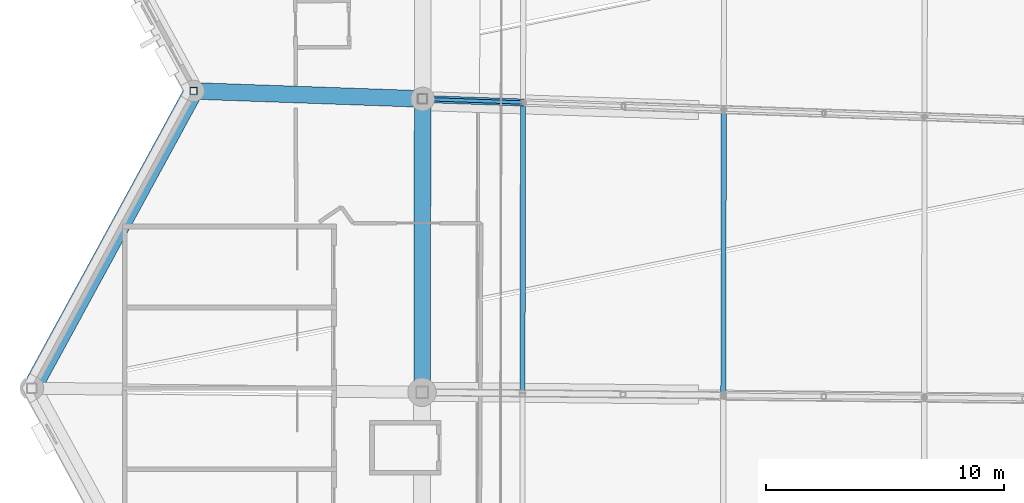
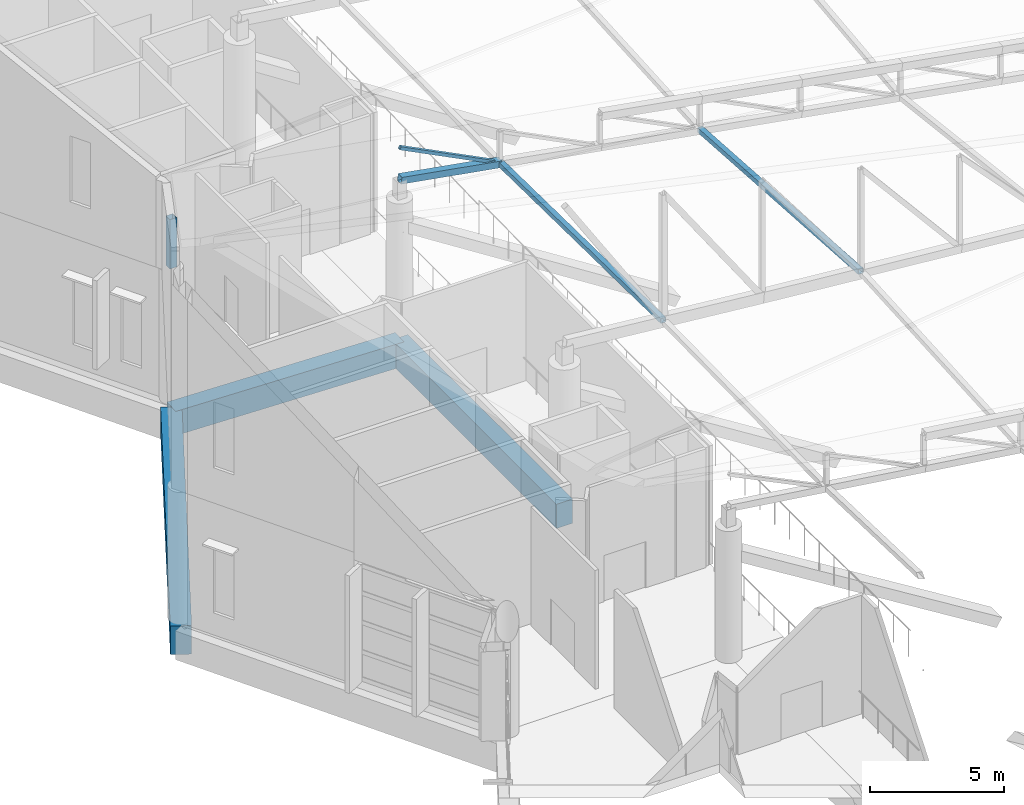
# One storey, part 61 of 344: 5 members, 3 beams.
"""IFC4 building model written with IfcOpenShell, lengths in metres."""

from ifc_helpers import new_model, si_unit, direction, frame, origin, origin_2d, place, context, subcontext, project, spatial, rectangle, hollow_rectangle, extrude, material, material_profile, profile_set, type_object, element, save


model = new_model("IFC4")

# Units and contexts
model_context = context("Model", 3, precision=1e-05, world=origin(), true_north=direction((0.0, 1.0)))
body_context = subcontext(model_context, "Body", "Model", "MODEL_VIEW")
ifc_project = project(units=[si_unit("LENGTHUNIT", "METRE"), si_unit("AREAUNIT", "SQUARE_METRE"), si_unit("VOLUMEUNIT", "CUBIC_METRE"), si_unit("PLANEANGLEUNIT", "RADIAN"), si_unit("MASSUNIT", "GRAM", prefix="KILO")], contexts=[model_context])

# Site, building, storey
site_placement = place(None, origin())
site = spatial("IfcSite", under=ifc_project, at=site_placement, CompositionType="ELEMENT")
building_placement = place(site_placement, origin())
building = spatial("IfcBuilding", under=site, at=building_placement, Name="Meseta Stadium", CompositionType="ELEMENT")
storey_placement = place(building_placement, frame((0.0, 0.0, 24.0)))
storey = spatial("IfcBuildingStorey", under=building, at=storey_placement, Name="L04", CompositionType="ELEMENT", Elevation=24.0)

# Beams
ifc_material_1 = material(Name="Concrete C40/50", Category="concrete")
ifc_material_profile_1 = material_profile(ifc_material_1, rectangle(XDim=0.699951171875, YDim=1.10009765625, at=origin_2d()), Name="RC 700x1100")
ifc_profile_set_1 = profile_set([ifc_material_profile_1], Name="Concrete C40/50")
beam_type_1 = type_object("IfcBeamType", Name="RC beam 700x1100", PredefinedType="BEAM", material=ifc_profile_set_1)
beam_1_placement = place(storey_placement, frame((-84.97314453125, 18.41064453125, -0.949951171875), z_axis=(-0.001980154927, -0.999998039491, 0.0), x_axis=(0.999998039491, -0.001980154927, 0.0)))
element("IfcBeam", 1, at=beam_1_placement, inside=storey, type_object=beam_type_1, Name="L04 ring beam frame 31 line P", PredefinedType="BEAM", context=body_context, shape_type="SweptSolid", body=[
    extrude(rectangle(XDim=0.699951171875, YDim=1.10009765625, at=origin_2d()), origin(), (0.0, 0.0, 1.0), 12.329345703125),
])
beam_2_placement = place(storey_placement, frame((-84.97314453125, 18.41064453125, -0.949951171875), z_axis=(-0.999379277506, 0.035228677108, 0.0), x_axis=(-0.035228677108, -0.999379277506, 0.0)))
element("IfcBeam", 2, at=beam_2_placement, inside=storey, type_object=beam_type_1, Name="L04 radial beam frame 31 line P to R", PredefinedType="BEAM", context=body_context, shape_type="SweptSolid", body=[
    extrude(rectangle(XDim=0.699951171875, YDim=1.10009765625, at=origin_2d()), origin(), (0.0, 0.0, 1.0), 9.6328125),
])
ifc_material_2 = material(Name="Concrete C40/50", Category="concrete")
ifc_material_profile_2 = material_profile(ifc_material_2, rectangle(XDim=0.800048828125, YDim=1.300048828125, at=origin_2d()), Name="RC 800x1300")
ifc_profile_set_2 = profile_set([ifc_material_profile_2], Name="Concrete C40/50")
beam_type_2 = type_object("IfcBeamType", Name="RC beam 800x1300", PredefinedType="BEAM", material=ifc_profile_set_2)
beam_3_placement = place(storey_placement, frame((-94.60009765625, 18.75, -1.050048828125), z_axis=(-0.47785649891, -0.878437912689, 0.0), x_axis=(0.878437912689, -0.47785649891, 0.0)))
element("IfcBeam", 3, at=beam_3_placement, inside=storey, type_object=beam_type_2, Name="L04 ring beam frame 31 line R", PredefinedType="BEAM", context=body_context, shape_type="SweptSolid", body=[
    extrude(rectangle(XDim=0.800048828125, YDim=1.300048828125, at=origin_2d()), origin(), (0.0, 0.0, 1.0), 14.229736328125),
])

# Members
ifc_material_3 = material(Name="Steel S355", Category="steel")
ifc_material_profile_3 = material_profile(ifc_material_3, hollow_rectangle(XDim=0.139892578125, YDim=0.139892578125, WallThickness=0.0048828125, at=origin_2d()), Name="SHS 140x140x5")
ifc_profile_set_3 = profile_set([ifc_material_profile_3], Name="Steel S355")
member_type_1 = type_object("IfcMemberType", Name="SHS 140x140x5 diagonal", PredefinedType="BRACE", material=ifc_profile_set_3)
member_1_placement = place(storey_placement, frame((-80.75341796875, 18.261962890625, 6.1669921875), z_axis=(-0.898097491679, 0.031644374707, 0.438656504556), x_axis=(-0.035213047643, -0.999379828331, 0.0)))
element("IfcMember", 4, at=member_1_placement, inside=storey, type_object=member_type_1, Name="ROOF TRUSS RT-31 diagonal", PredefinedType="BRACE", context=body_context, shape_type="SweptSolid", body=[
    extrude(hollow_rectangle(XDim=0.139892578125, YDim=0.139892578125, WallThickness=0.0048828125, at=origin_2d()), origin(), (0.0, 0.0, 1.0), 4.698486328125),
])
ifc_material_4 = material(Name="Steel S355", Category="steel")
ifc_material_profile_4 = material_profile(ifc_material_4, hollow_rectangle(XDim=0.219970703125, YDim=0.219970703125, WallThickness=0.008056640625, at=origin_2d()), Name="SHS 220x220x8")
ifc_profile_set_4 = profile_set([ifc_material_profile_4], Name="Steel S355")
member_type_2 = type_object("IfcMemberType", Name="SHS 220x220x8 strut", PredefinedType="STRUT", material=ifc_profile_set_4)
member_2_placement = place(storey_placement, frame((-72.314208984375, 17.964599609375, 4.900634765625), z_axis=(-0.001439518658, -0.997667529831, 0.068245349349), x_axis=(0.999998959044, -0.001442882641, 0.0)))
element("IfcMember", 5, at=member_2_placement, inside=storey, type_object=member_type_2, Name="ROOF TRUSS STRUT RT-31/32", PredefinedType="STRUT", context=body_context, shape_type="SweptSolid", body=[
    extrude(hollow_rectangle(XDim=0.219970703125, YDim=0.219970703125, WallThickness=0.008056640625, at=origin_2d()), origin(), (0.0, 0.0, 1.0), 12.04150390625),
])
member_3_placement = place(storey_placement, frame((-80.75341796875, 18.261962890625, 6.1669921875), z_axis=(-0.00181717204, -0.999824031395, 0.018670943485), x_axis=(0.999998348366, -0.001817488859, 0.0)))
element("IfcMember", 6, at=member_3_placement, inside=storey, type_object=member_type_2, Name="ROOF TRUSS STRUT RT-31/32", PredefinedType="STRUT", context=body_context, shape_type="SweptSolid", body=[
    extrude(hollow_rectangle(XDim=0.219970703125, YDim=0.219970703125, WallThickness=0.008056640625, at=origin_2d()), origin(), (0.0, 0.0, 1.0), 12.22607421875),
])
ifc_material_5 = material(Name="Steel S355", Category="steel")
ifc_material_profile_5 = material_profile(ifc_material_5, hollow_rectangle(XDim=0.300048828125, YDim=0.300048828125, WallThickness=0.010009765625, at=origin_2d()), Name="SHS 300x300x10")
ifc_profile_set_5 = profile_set([ifc_material_profile_5], Name="Steel S355")
member_type_3 = type_object("IfcMemberType", Name="SHS 300x300x10 bottom chord", PredefinedType="CHORD", material=ifc_profile_set_5)
member_4_placement = place(storey_placement, frame((-80.75341796875, 18.261962890625, 6.1669921875), z_axis=(-0.988333174505, 0.034823819907, 0.148272848964), x_axis=(-0.035213047643, -0.999379828331, 0.0)))
element("IfcMember", 7, at=member_4_placement, inside=storey, type_object=member_type_3, Name="ROOF TRUSS RT-31 bottom chord", PredefinedType="CHORD", context=body_context, shape_type="SweptSolid", body=[
    extrude(hollow_rectangle(XDim=0.300048828125, YDim=0.300048828125, WallThickness=0.010009765625, at=origin_2d()), origin(), (0.0, 0.0, 1.0), 4.26953125),
])
ifc_material_6 = material(Name="Steel S355", Category="steel")
ifc_material_profile_6 = material_profile(ifc_material_6, hollow_rectangle(XDim=0.300048828125, YDim=0.300048828125, WallThickness=0.010009765625, at=origin_2d()), Name="SHS 300x300x10")
ifc_profile_set_6 = profile_set([ifc_material_profile_6], Name="Steel S355")
member_type_4 = type_object("IfcMemberType", Name="SHS 300x300x10 rim post", PredefinedType="POST", material=ifc_profile_set_6)
member_5_placement = place(storey_placement, frame((-94.60009765625, 18.75, 6.0), z_axis=(0.0, 0.0, 1.0), x_axis=(1.0, 0.0, 0.0)))
element("IfcMember", 8, at=member_5_placement, inside=storey, type_object=member_type_4, Name="ROOF RIM POST RT-31", PredefinedType="POST", context=body_context, shape_type="SweptSolid", body=[
    extrude(hollow_rectangle(XDim=0.300048828125, YDim=0.300048828125, WallThickness=0.010009765625, at=origin_2d()), origin(), (0.0, 0.0, 1.0), 2.244384765625),
])

save(model, "model.ifc")
